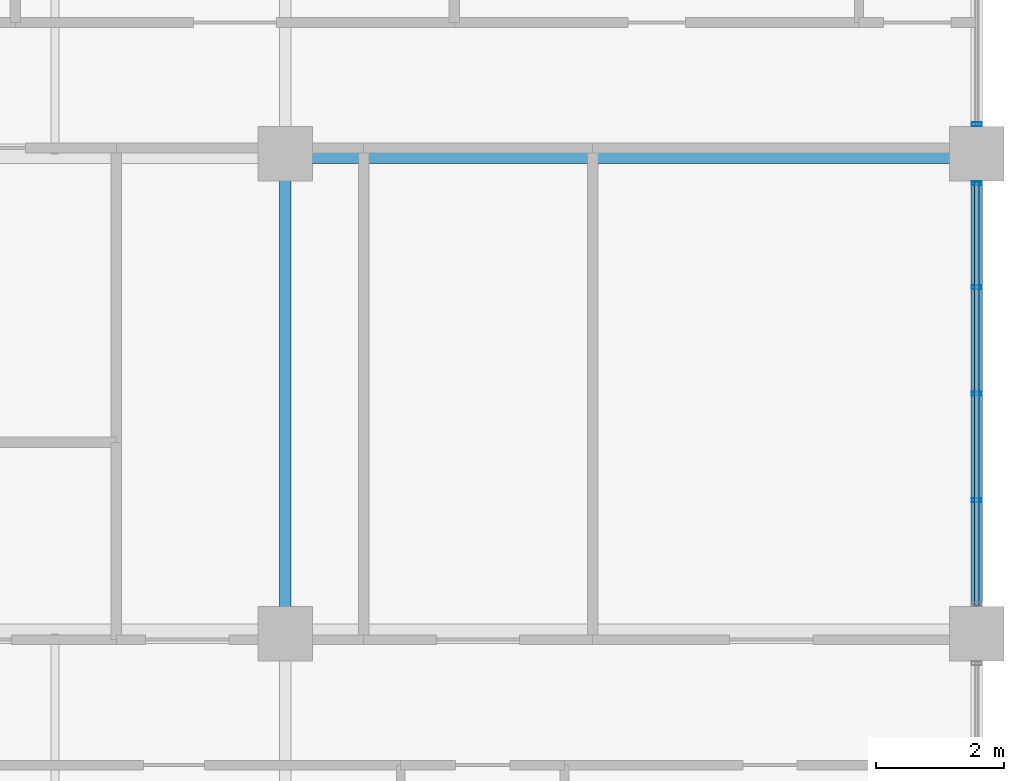
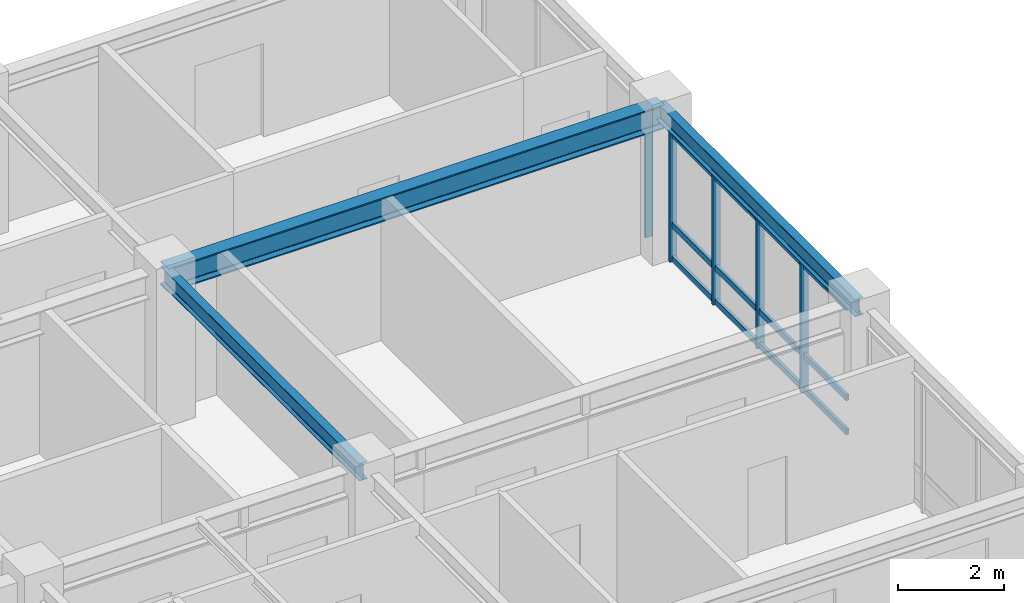
# One storey, part 3 of 10: 8 members, 3 beams, 2 elements without a shape of their own.
"""IFC4 building model written with IfcOpenShell, lengths in metres."""

from ifc_helpers import new_model, si_unit, direction, frame, origin, origin_2d, place, context, subcontext, project, spatial, hollow_rectangle, i_section, extrude, source, transform, mapped, material, layer, layer_set, material_profile, profile_set, type_object, element, aggregate, save


model = new_model("IFC4")

# Units and contexts
model_context = context("Model", 3, precision=1e-05, world=origin(), true_north=direction((0.0, 1.0)))
body_context = subcontext(model_context, "Body", "Model", "MODEL_VIEW")
ifc_project = project(units=[si_unit("LENGTHUNIT", "METRE"), si_unit("AREAUNIT", "SQUARE_METRE"), si_unit("VOLUMEUNIT", "CUBIC_METRE"), si_unit("PLANEANGLEUNIT", "RADIAN"), si_unit("MASSUNIT", "GRAM", prefix="KILO")], contexts=[model_context])

# Site, building, storey
site_placement = place(None, origin())
site = spatial("IfcSite", under=ifc_project, at=site_placement, CompositionType="ELEMENT")
building_placement = place(site_placement, origin())
building = spatial("IfcBuilding", under=site, at=building_placement, Name="Kaliganga Portal Commons", CompositionType="ELEMENT")
storey_placement = place(building_placement, frame((0.0, 0.0, 294.300048828125)))
storey = spatial("IfcBuildingStorey", under=building, at=storey_placement, Name="L76", CompositionType="ELEMENT", Elevation=294.300048828125)

# Beams
ifc_material_1 = material(Name="Structural steel S355J2", Category="steel")
ifc_material_profile_1 = material_profile(ifc_material_1, i_section(OverallWidth=0.300048828125, OverallDepth=0.550048828125, WebThickness=0.014892578125, FlangeThickness=0.029052734375, FilletRadius=0.027099609375, at=origin_2d()), Name="HE 550 B")
ifc_profile_set_1 = profile_set([ifc_material_profile_1], Name="Structural steel S355J2 wide-flange")
beam_type_1 = type_object("IfcBeamType", Name="BM-GIRD-550", PredefinedType="USERDEFINED", material=ifc_profile_set_1)
shared_shape_1 = source(origin(), body_context, "Body", "SweptSolid", [
    extrude(i_section(OverallWidth=0.300048828125, OverallDepth=0.550048828125, WebThickness=0.014892578125, FlangeThickness=0.029052734375, FilletRadius=0.027099609375, at=origin_2d()), origin(), (0.0, 0.0, 1.0), 10.800048828125),
])
beam_placement = place(storey_placement, frame((36.0, 36.14990234375, 3.125), z_axis=(1.0, 0.0, 0.0), x_axis=(0.0, 1.0, 0.0)))
element("IfcBeam", 1, at=beam_placement, inside=storey, type_object=beam_type_1, Name="BM G L76 WAE_N 2", ObjectType="GIRDER", PredefinedType="USERDEFINED", context=body_context, shape_type="MappedRepresentation", body=[
    mapped(shared_shape_1, transform((0.0, 0.0, 0.0), x_axis=(1.0, 0.0, 0.0), y_axis=(0.0, 1.0, 0.0), z_axis=(0.0, 0.0, 1.0), scale=1.0)),
])
ifc_material_profile_2 = material_profile(ifc_material_1, i_section(OverallWidth=0.179931640625, OverallDepth=0.39990234375, WebThickness=0.008544921875, FlangeThickness=0.013427734375, FilletRadius=0.02099609375, at=origin_2d()), Name="IPE 400")
ifc_profile_set_2 = profile_set([ifc_material_profile_2], Name="Structural steel S355J2 wide-flange")
beam_type_2 = type_object("IfcBeamType", Name="BM-FLR-400", PredefinedType="BEAM", material=ifc_profile_set_2)
shared_shape_2 = source(origin(), body_context, "Body", "SweptSolid", [
    extrude(i_section(OverallWidth=0.179931640625, OverallDepth=0.39990234375, WebThickness=0.008544921875, FlangeThickness=0.013427734375, FilletRadius=0.02099609375, at=origin_2d()), origin(), (0.0, 0.0, 1.0), 7.5),
])
for number, where, z_axis, x_axis, name in (
    (2, (36.0, 28.64990234375, 3.199951171875), (0.0, 1.0, 0.0), (-1.0, 0.0, 0.0), "BM G L76 AM360"),
    (3, (46.800048828125, 28.64990234375, 3.199951171875), (0.0, 1.0, 0.0), (-1.0, 0.0, 0.0), "BM G L76 AM468"),
):
    element("IfcBeam", number, at=place(storey_placement, frame(where, z_axis=z_axis, x_axis=x_axis)), inside=storey, type_object=beam_type_2, Name=name, PredefinedType="BEAM", context=body_context, shape_type="MappedRepresentation", body=[
        mapped(shared_shape_2, transform((0.0, 0.0, 0.0), x_axis=(1.0, 0.0, 0.0), y_axis=(0.0, 1.0, 0.0), z_axis=(0.0, 0.0, 1.0), scale=1.0)),
    ])

# Curtain wall, members
ifc_material_2 = material(Name="Anodized Aluminium and Laminated Low-E Glass", Category="aluminium")
ifc_layer = layer(ifc_material_2, 0.18994140625)
ifc_layer_set = layer_set([ifc_layer], Name="Anodized Aluminium and Laminated Low-E Glass")
curtain_wall_type = type_object("IfcCurtainWallType", Name="CW-SYS-05", PredefinedType="NOTDEFINED", material=ifc_layer_set)
curtain_wall_1_placement = place(storey_placement, origin())
curtain_wall_1 = element("IfcCurtainWall", 4, at=curtain_wall_1_placement, inside=storey, type_object=curtain_wall_type, Name="CW 05 L76 P1E01S2", PredefinedType="NOTDEFINED")
ifc_material_3 = material(Name="Dark Bronze Anodized Aluminium", Category="aluminium")
ifc_material_profile_3 = material_profile(ifc_material_3, hollow_rectangle(XDim=0.06494140625, YDim=0.135009765625, WallThickness=0.00341796875, at=origin_2d()), Name="ALU TRAN 65x135x3.5")
ifc_profile_set_3 = profile_set([ifc_material_profile_3], Name="Dark Bronze Anodized Aluminium")
member_type_1 = type_object("IfcMemberType", Name="CW-TRN-135", PredefinedType="USERDEFINED", material=ifc_profile_set_3)
shared_shape_3 = source(origin(), body_context, "Body", "SweptSolid", [
    extrude(hollow_rectangle(XDim=0.06494140625, YDim=0.135009765625, WallThickness=0.00341796875, at=origin_2d()), origin(), (0.0, 0.0, 1.0), 6.608154296875),
])
member_1_placement = place(storey_placement, frame((46.800048828125, 29.095947265625, 0.06005859375), z_axis=(0.0, 1.0, 0.0), x_axis=(-1.0, 0.0, 0.0)))
member_1 = element("IfcMember", 5, at=member_1_placement, type_object=member_type_1, Name="CW:05:L76:P1E01S2 Transom 1", ObjectType="TRANSOM", PredefinedType="USERDEFINED", context=body_context, shape_type="MappedRepresentation", body=[
    mapped(shared_shape_3, transform((0.0, 0.0, 0.0), x_axis=(1.0, 0.0, 0.0), y_axis=(0.0, 1.0, 0.0), z_axis=(0.0, 0.0, 1.0), scale=1.0)),
])
member_2_placement = place(storey_placement, frame((46.800048828125, 29.095947265625, 0.83984375), z_axis=(0.0, 1.0, 0.0), x_axis=(-1.0, 0.0, 0.0)))
member_2 = element("IfcMember", 6, at=member_2_placement, type_object=member_type_1, Name="CW:05:L76:P1E01S2 Transom 2", ObjectType="TRANSOM", PredefinedType="USERDEFINED", context=body_context, shape_type="MappedRepresentation", body=[
    mapped(shared_shape_3, transform((0.0, 0.0, 0.0), x_axis=(1.0, 0.0, 0.0), y_axis=(0.0, 1.0, 0.0), z_axis=(0.0, 0.0, 1.0), scale=1.0)),
])
member_3_placement = place(storey_placement, frame((46.800048828125, 29.095947265625, 2.919921875), z_axis=(0.0, 1.0, 0.0), x_axis=(-1.0, 0.0, 0.0)))
member_3 = element("IfcMember", 7, at=member_3_placement, type_object=member_type_1, Name="CW:05:L76:P1E01S2 Transom 3", ObjectType="TRANSOM", PredefinedType="USERDEFINED", context=body_context, shape_type="MappedRepresentation", body=[
    mapped(shared_shape_3, transform((0.0, 0.0, 0.0), x_axis=(1.0, 0.0, 0.0), y_axis=(0.0, 1.0, 0.0), z_axis=(0.0, 0.0, 1.0), scale=1.0)),
])
ifc_material_profile_4 = material_profile(ifc_material_3, hollow_rectangle(XDim=0.06005859375, YDim=0.159912109375, WallThickness=0.00341796875, at=origin_2d()), Name="ALU MULL 60x160x3.5")
ifc_profile_set_4 = profile_set([ifc_material_profile_4], Name="Dark Bronze Anodized Aluminium")
member_type_2 = type_object("IfcMemberType", Name="CW-MUL-160", PredefinedType="MULLION", material=ifc_profile_set_4)
shared_shape_4 = source(origin(), body_context, "Body", "SweptSolid", [
    extrude(hollow_rectangle(XDim=0.06005859375, YDim=0.159912109375, WallThickness=0.00341796875, at=origin_2d()), origin(), (0.0, 0.0, 1.0), 3.0),
])
member_4_placement = place(storey_placement, frame((46.800048828125, 30.738037109375, 0.0), z_axis=(0.0, 0.0, 1.0), x_axis=(0.0, 1.0, 0.0)))
member_4 = element("IfcMember", 8, at=member_4_placement, type_object=member_type_2, Name="CW:05:L76:P1E01S2 Mullion 01", PredefinedType="MULLION", context=body_context, shape_type="MappedRepresentation", body=[
    mapped(shared_shape_4, transform((0.0, 0.0, 0.0), x_axis=(1.0, 0.0, 0.0), y_axis=(0.0, 1.0, 0.0), z_axis=(0.0, 0.0, 1.0), scale=1.0)),
])
member_5_placement = place(storey_placement, frame((46.800048828125, 32.39990234375, 0.0), z_axis=(0.0, 0.0, 1.0), x_axis=(0.0, 1.0, 0.0)))
member_5 = element("IfcMember", 9, at=member_5_placement, type_object=member_type_2, Name="CW:05:L76:P1E01S2 Mullion 02", PredefinedType="MULLION", context=body_context, shape_type="MappedRepresentation", body=[
    mapped(shared_shape_4, transform((0.0, 0.0, 0.0), x_axis=(1.0, 0.0, 0.0), y_axis=(0.0, 1.0, 0.0), z_axis=(0.0, 0.0, 1.0), scale=1.0)),
])
member_6_placement = place(storey_placement, frame((46.800048828125, 34.06201171875, 0.0), z_axis=(0.0, 0.0, 1.0), x_axis=(0.0, 1.0, 0.0)))
member_6 = element("IfcMember", 10, at=member_6_placement, type_object=member_type_2, Name="CW:05:L76:P1E01S2 Mullion 03", PredefinedType="MULLION", context=body_context, shape_type="MappedRepresentation", body=[
    mapped(shared_shape_4, transform((0.0, 0.0, 0.0), x_axis=(1.0, 0.0, 0.0), y_axis=(0.0, 1.0, 0.0), z_axis=(0.0, 0.0, 1.0), scale=1.0)),
])
member_7_placement = place(storey_placement, frame((46.800048828125, 35.68896484375, 0.0), z_axis=(0.0, 0.0, 1.0), x_axis=(0.0, 1.0, 0.0)))
member_7 = element("IfcMember", 11, at=member_7_placement, type_object=member_type_2, Name="CW:05:L76:P1E01S2 Mullion 04", PredefinedType="MULLION", context=body_context, shape_type="MappedRepresentation", body=[
    mapped(shared_shape_4, transform((0.0, 0.0, 0.0), x_axis=(1.0, 0.0, 0.0), y_axis=(0.0, 1.0, 0.0), z_axis=(0.0, 0.0, 1.0), scale=1.0)),
])
aggregate(curtain_wall_1, [member_4, member_5, member_6, member_7, member_1, member_2, member_3])

# Curtain wall, member
curtain_wall_2_placement = place(storey_placement, origin())
curtain_wall_2 = element("IfcCurtainWall", 12, at=curtain_wall_2_placement, inside=storey, type_object=curtain_wall_type, Name="CW 05 L76 P1E01S3", PredefinedType="NOTDEFINED")
member_8_placement = place(storey_placement, frame((46.800048828125, 36.611083984375, 0.0), z_axis=(0.0, 0.0, 1.0), x_axis=(0.0, 1.0, 0.0)))
member_8 = element("IfcMember", 13, at=member_8_placement, type_object=member_type_2, Name="CW:05:L76:P1E01S3 Mullion 00", PredefinedType="MULLION", context=body_context, shape_type="MappedRepresentation", body=[
    mapped(shared_shape_4, transform((0.0, 0.0, 0.0), x_axis=(1.0, 0.0, 0.0), y_axis=(0.0, 1.0, 0.0), z_axis=(0.0, 0.0, 1.0), scale=1.0)),
])
aggregate(curtain_wall_2, [member_8])

save(model, "model.ifc")
